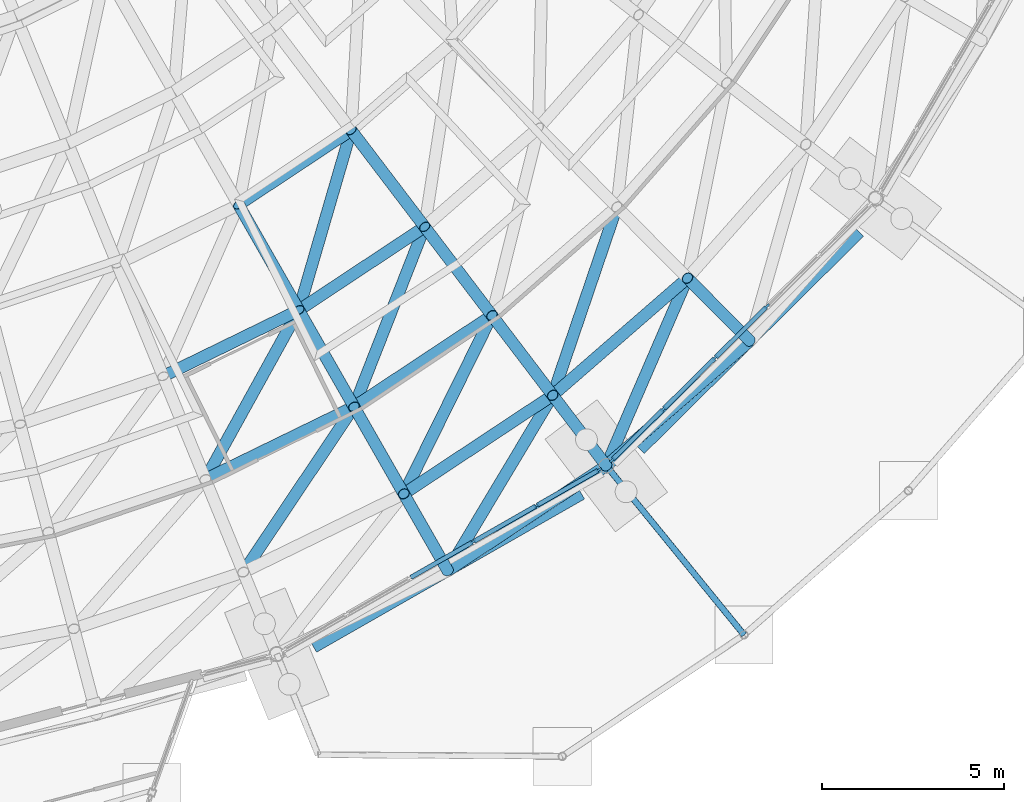
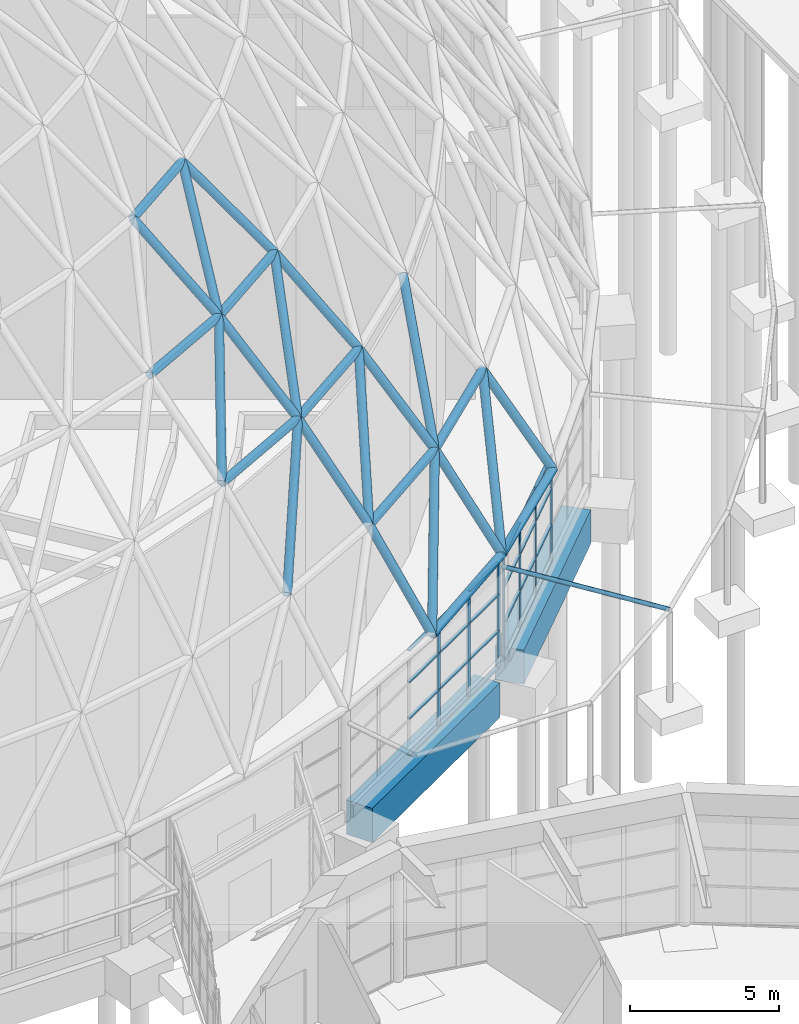
# One storey, part 101 of 226: 58 members, 2 beams, 2 elements without a shape of their own.
"""IFC4 building model written with IfcOpenShell, lengths in metres."""

from ifc_helpers import new_model, si_unit, direction, frame, origin, origin_2d, place, context, subcontext, project, spatial, rectangle, hollow_circle, extrude, material, material_profile, profile_set, type_object, element, aggregate, save


model = new_model("IFC4")

# Units and contexts
model_context = context("Model", 3, precision=1e-05, world=origin(), true_north=direction((0.0, 1.0)))
body_context = subcontext(model_context, "Body", "Model", "MODEL_VIEW")
ifc_project = project(units=[si_unit("LENGTHUNIT", "METRE"), si_unit("AREAUNIT", "SQUARE_METRE"), si_unit("VOLUMEUNIT", "CUBIC_METRE"), si_unit("PLANEANGLEUNIT", "RADIAN"), si_unit("MASSUNIT", "GRAM", prefix="KILO")], contexts=[model_context])

# Site, building, storey
site_placement = place(None, origin())
site = spatial("IfcSite", under=ifc_project, at=site_placement, CompositionType="ELEMENT")
building_placement = place(site_placement, origin())
building = spatial("IfcBuilding", under=site, at=building_placement, Name="Ceibo Conservatory and Research Tower", CompositionType="ELEMENT")
storey_placement = place(building_placement, origin())
storey = spatial("IfcBuildingStorey", under=building, at=storey_placement, Name="L00", CompositionType="ELEMENT", Elevation=0.0)

# Members
ifc_material_1 = material(Name="Steel ASTM A500 Gr C", Category="steel")
ifc_material_profile_1 = material_profile(ifc_material_1, hollow_circle(Radius=0.084228515625, WallThickness=0.007080078125, at=origin_2d()), Name="CHS 168.3x7.11")
ifc_profile_set_1 = profile_set([ifc_material_profile_1], Name="Steel ASTM A500 Gr C")
member_type_1 = type_object("IfcMemberType", Name="CHS 168.3x7.11", PredefinedType="NOTDEFINED", material=ifc_profile_set_1)
member_1_placement = place(storey_placement, frame((180.211669921875, 76.159912109375, 4.0), z_axis=(0.630927805734, -0.774510706466, -0.045423226661), x_axis=(0.775310957196, 0.631579701741, 0.0)))
element("IfcMember", 1, at=member_1_placement, inside=storey, type_object=member_type_1, Name="Brim brace bracket A-BK21", PredefinedType="BRACE", context=body_context, shape_type="SweptSolid", body=[
    extrude(hollow_circle(Radius=0.084228515625, WallThickness=0.007080078125, at=origin_2d()), origin(), (0.0, 0.0, 1.0), 6.009033203125),
])
ifc_material_profile_2 = material_profile(ifc_material_1, hollow_circle(Radius=0.161865234375, WallThickness=0.01025390625, at=origin_2d()), Name="CHS 323.9x10.31")
ifc_profile_set_2 = profile_set([ifc_material_profile_2], Name="Steel ASTM A500 Gr C")
member_type_2 = type_object("IfcMemberType", Name="CHS 323.9x10.31", PredefinedType="NOTDEFINED", material=ifc_profile_set_2)
member_2_placement = place(storey_placement, frame((174.639892578125, 75.385986328125, 8.115966796875), z_axis=(0.833940947759, 0.551853690439, 0.0), x_axis=(-0.551853690439, 0.833940947759, 0.0)))
element("IfcMember", 2, at=member_2_placement, inside=storey, type_object=member_type_2, Name="Gridshell member A-C02-40", PredefinedType="CHORD", context=body_context, shape_type="SweptSolid", body=[
    extrude(hollow_circle(Radius=0.161865234375, WallThickness=0.01025390625, at=origin_2d()), origin(), (0.0, 0.0, 1.0), 4.914306640625),
])
member_3_placement = place(storey_placement, frame((178.738037109375, 78.097900390625, 8.115966796875), z_axis=(0.754629054277, 0.656151652014, 0.0), x_axis=(-0.656151652014, 0.754629054277, 0.0)))
element("IfcMember", 3, at=member_3_placement, inside=storey, type_object=member_type_2, Name="Gridshell member A-C02-41", PredefinedType="CHORD", context=body_context, shape_type="SweptSolid", body=[
    extrude(hollow_circle(Radius=0.161865234375, WallThickness=0.01025390625, at=origin_2d()), origin(), (0.0, 0.0, 1.0), 4.91357421875),
])
member_4_placement = place(storey_placement, frame((169.178955078125, 75.787109375, 11.489013671875), z_axis=(0.898876140445, 0.43820278883, 0.0), x_axis=(-0.43820278883, 0.898876140445, 0.0)))
element("IfcMember", 4, at=member_4_placement, inside=storey, type_object=member_type_2, Name="Gridshell member A-C03-39", PredefinedType="CHORD", context=body_context, shape_type="SweptSolid", body=[
    extrude(hollow_circle(Radius=0.161865234375, WallThickness=0.01025390625, at=origin_2d()), origin(), (0.0, 0.0, 1.0), 4.552490234375),
])
member_5_placement = place(storey_placement, frame((173.27099609375, 77.781982421875, 11.489013671875), z_axis=(0.833836370896, 0.552011690612, 0.0), x_axis=(-0.552011690612, 0.833836370896, 0.0)))
element("IfcMember", 5, at=member_5_placement, inside=storey, type_object=member_type_2, Name="Gridshell member A-C03-40", PredefinedType="CHORD", context=body_context, shape_type="SweptSolid", body=[
    extrude(hollow_circle(Radius=0.161865234375, WallThickness=0.01025390625, at=origin_2d()), origin(), (0.0, 0.0, 1.0), 4.55224609375),
])
member_6_placement = place(storey_placement, frame((168.01904296875, 78.62109375, 14.591064453125), z_axis=(0.898828339994, 0.438300827314, 0.0), x_axis=(-0.438300827314, 0.898828339994, 0.0)))
element("IfcMember", 6, at=member_6_placement, inside=storey, type_object=member_type_2, Name="Gridshell member A-C04-39", PredefinedType="CHORD", context=body_context, shape_type="SweptSolid", body=[
    extrude(hollow_circle(Radius=0.161865234375, WallThickness=0.01025390625, at=origin_2d()), origin(), (0.0, 0.0, 1.0), 4.152099609375),
])
member_7_placement = place(storey_placement, frame((171.7509765625, 80.44091796875, 14.591064453125), z_axis=(0.833908730417, 0.55190237301, 0.0), x_axis=(-0.55190237301, 0.833908730417, 0.0)))
element("IfcMember", 7, at=member_7_placement, inside=storey, type_object=member_type_2, Name="Gridshell member A-C04-40", PredefinedType="CHORD", context=body_context, shape_type="SweptSolid", body=[
    extrude(hollow_circle(Radius=0.161865234375, WallThickness=0.01025390625, at=origin_2d()), origin(), (0.0, 0.0, 1.0), 4.15283203125),
])
ifc_material_profile_3 = material_profile(ifc_material_1, hollow_circle(Radius=0.161865234375, WallThickness=0.01416015625, at=origin_2d()), Name="CHS 323.9x14.27")
ifc_profile_set_3 = profile_set([ifc_material_profile_3], Name="Steel ASTM A500 Gr C")
member_type_3 = type_object("IfcMemberType", Name="CHS 323.9x14.27", PredefinedType="NOTDEFINED", material=ifc_profile_set_3)
member_8_placement = place(storey_placement, frame((175.84912109375, 73.27197265625, 4.5), z_axis=(-0.277368582794, 0.48490501886, 0.829417742735), x_axis=(-0.868027146183, -0.496516740391, 0.0)))
element("IfcMember", 8, at=member_8_placement, inside=storey, type_object=member_type_3, Name="Gridshell member A-M40-01", PredefinedType="RAFTER", context=body_context, shape_type="SweptSolid", body=[
    extrude(hollow_circle(Radius=0.161865234375, WallThickness=0.01416015625, at=origin_2d()), origin(), (0.0, 0.0, 1.0), 4.359619140625),
])
member_9_placement = place(storey_placement, frame((180.2119140625, 76.159912109375, 4.5), z_axis=(-0.338100956033, 0.444566074041, 0.829487039887), x_axis=(-0.795963131494, -0.605345102649, 0.0)))
element("IfcMember", 9, at=member_9_placement, inside=storey, type_object=member_type_3, Name="Gridshell member A-M41-01", PredefinedType="RAFTER", context=body_context, shape_type="SweptSolid", body=[
    extrude(hollow_circle(Radius=0.161865234375, WallThickness=0.01416015625, at=origin_2d()), origin(), (0.0, 0.0, 1.0), 4.359375),
])
member_10_placement = place(storey_placement, frame((184.160888671875, 79.593017578125, 4.5), z_axis=(-0.393356662776, 0.396604767338, 0.829442701079), x_axis=(-0.710008208399, -0.704193399576, 0.0)))
element("IfcMember", 10, at=member_10_placement, inside=storey, type_object=member_type_3, Name="Gridshell member A-M42-01", PredefinedType="RAFTER", context=body_context, shape_type="SweptSolid", body=[
    extrude(hollow_circle(Radius=0.161865234375, WallThickness=0.01416015625, at=origin_2d()), origin(), (0.0, 0.0, 1.0), 4.359619140625),
])
member_11_placement = place(storey_placement, frame((174.639892578125, 75.385986328125, 8.115966796875), z_axis=(-0.314111534403, 0.549793222513, 0.773990540274), x_axis=(-0.868281251326, -0.496072241307, 0.0)))
element("IfcMember", 11, at=member_11_placement, inside=storey, type_object=member_type_3, Name="Gridshell member A-M40-02", PredefinedType="RAFTER", context=body_context, shape_type="SweptSolid", body=[
    extrude(hollow_circle(Radius=0.161865234375, WallThickness=0.01416015625, at=origin_2d()), origin(), (0.0, 0.0, 1.0), 4.35791015625),
])
member_12_placement = place(storey_placement, frame((178.738037109375, 78.097900390625, 8.115966796875), z_axis=(-0.383416004443, 0.504070215337, 0.773889776097), x_axis=(-0.795916707168, -0.605406140745, 0.0)))
element("IfcMember", 12, at=member_12_placement, inside=storey, type_object=member_type_3, Name="Gridshell member A-M41-02", PredefinedType="RAFTER", context=body_context, shape_type="SweptSolid", body=[
    extrude(hollow_circle(Radius=0.161865234375, WallThickness=0.01416015625, at=origin_2d()), origin(), (0.0, 0.0, 1.0), 4.358642578125),
])
member_13_placement = place(storey_placement, frame((173.27099609375, 77.781982421875, 11.489013671875), z_axis=(-0.34868779891, 0.609951625108, 0.711600895109), x_axis=(-0.868154830842, -0.496293451182, 0.0)))
element("IfcMember", 13, at=member_13_placement, inside=storey, type_object=member_type_3, Name="Gridshell member A-M40-03", PredefinedType="RAFTER", context=body_context, shape_type="SweptSolid", body=[
    extrude(hollow_circle(Radius=0.161865234375, WallThickness=0.01416015625, at=origin_2d()), origin(), (0.0, 0.0, 1.0), 4.359375),
])
member_14_placement = place(storey_placement, frame((177.06689453125, 80.294921875, 11.489013671875), z_axis=(-0.425065319755, 0.559323004753, 0.71167215085), x_axis=(-0.796176021194, -0.605065073587, 0.0)))
element("IfcMember", 14, at=member_14_placement, inside=storey, type_object=member_type_3, Name="Gridshell member A-M41-03", PredefinedType="RAFTER", context=body_context, shape_type="SweptSolid", body=[
    extrude(hollow_circle(Radius=0.161865234375, WallThickness=0.01416015625, at=origin_2d()), origin(), (0.0, 0.0, 1.0), 4.35888671875),
])
member_15_placement = place(storey_placement, frame((171.7509765625, 80.44091796875, 14.591064453125), z_axis=(-0.379873372803, 0.66482040521, 0.643202961321), x_axis=(-0.868256644754, -0.496115308008, 0.0)))
element("IfcMember", 15, at=member_15_placement, inside=storey, type_object=member_type_3, Name="Gridshell member A-M40-04", PredefinedType="RAFTER", context=body_context, shape_type="SweptSolid", body=[
    extrude(hollow_circle(Radius=0.161865234375, WallThickness=0.01416015625, at=origin_2d()), origin(), (0.0, 0.0, 1.0), 4.359375),
])
member_16_placement = place(storey_placement, frame((175.214111328125, 82.73291015625, 14.591064453125), z_axis=(-0.463573344816, 0.609455026774, 0.643167415465), x_axis=(-0.795918324463, -0.605404014509, 0.0)))
element("IfcMember", 16, at=member_16_placement, inside=storey, type_object=member_type_3, Name="Gridshell member A-M41-04", PredefinedType="RAFTER", context=body_context, shape_type="SweptSolid", body=[
    extrude(hollow_circle(Radius=0.161865234375, WallThickness=0.01416015625, at=origin_2d()), origin(), (0.0, 0.0, 1.0), 4.359619140625),
])
ifc_material_2 = material(Name="Steel S355J2H", Category="steel")
ifc_material_profile_4 = material_profile(ifc_material_2, hollow_circle(Radius=0.161865234375, WallThickness=0.025390625, at=origin_2d()), Name="CHS 323.9x25.40")
ifc_profile_set_4 = profile_set([ifc_material_profile_4], Name="Steel S355J2H")
member_type_4 = type_object("IfcMemberType", Name="CHS 323.9x25.40", PredefinedType="NOTDEFINED", material=ifc_profile_set_4)
member_17_placement = place(storey_placement, frame((175.84912109375, 73.27197265625, 4.5), z_axis=(0.83386208918, 0.551972840118, 0.0), x_axis=(-0.551972840118, 0.83386208918, 0.0)))
element("IfcMember", 17, at=member_17_placement, inside=storey, type_object=member_type_4, Name="Gridshell member A-C01-40", PredefinedType="CHORD", context=body_context, shape_type="SweptSolid", body=[
    extrude(hollow_circle(Radius=0.161865234375, WallThickness=0.025390625, at=origin_2d()), origin(), (0.0, 0.0, 1.0), 5.23193359375),
])
member_18_placement = place(storey_placement, frame((180.2119140625, 76.159912109375, 4.5), z_axis=(0.754679847379, 0.656093231149, 0.0), x_axis=(-0.656093231149, 0.754679847379, 0.0)))
element("IfcMember", 18, at=member_18_placement, inside=storey, type_object=member_type_4, Name="Gridshell member A-C01-41", PredefinedType="CHORD", context=body_context, shape_type="SweptSolid", body=[
    extrude(hollow_circle(Radius=0.161865234375, WallThickness=0.025390625, at=origin_2d()), origin(), (0.0, 0.0, 1.0), 5.232666015625),
])
ifc_material_profile_5 = material_profile(ifc_material_1, hollow_circle(Radius=0.161865234375, WallThickness=0.00830078125, at=origin_2d()), Name="CHS 323.9x8.38")
ifc_profile_set_5 = profile_set([ifc_material_profile_5], Name="Steel ASTM A500 Gr C")
member_type_5 = type_object("IfcMemberType", Name="CHS 323.9x8.38", PredefinedType="NOTDEFINED", material=ifc_profile_set_5)
member_19_placement = place(storey_placement, frame((170.094970703125, 83.339111328125, 17.39501953125), z_axis=(0.833865491035, 0.551967700922, 0.0), x_axis=(-0.551967700922, 0.833865491035, 0.0)))
element("IfcMember", 19, at=member_19_placement, inside=storey, type_object=member_type_5, Name="Gridshell member A-C05-40", PredefinedType="CHORD", context=body_context, shape_type="SweptSolid", body=[
    extrude(hollow_circle(Radius=0.161865234375, WallThickness=0.00830078125, at=origin_2d()), origin(), (0.0, 0.0, 1.0), 3.71533203125),
])
member_20_placement = place(storey_placement, frame((175.84912109375, 73.27197265625, 4.5), z_axis=(0.432045535026, 0.721731098694, 0.540778029178), x_axis=(-0.858013362491, 0.513627364717, 0.0)))
element("IfcMember", 20, at=member_20_placement, inside=storey, type_object=member_type_5, Name="Gridshell diagonal member A-D01-40", PredefinedType="BRACE", context=body_context, shape_type="SweptSolid", body=[
    extrude(hollow_circle(Radius=0.161865234375, WallThickness=0.00830078125, at=origin_2d()), origin(), (0.0, 0.0, 1.0), 6.6865234375),
])
member_21_placement = place(storey_placement, frame((180.2119140625, 76.159912109375, 4.5), z_axis=(0.334108240434, 0.771979525269, 0.540758075519), x_axis=(-0.917736049525, 0.397190814851, 0.0)))
element("IfcMember", 21, at=member_21_placement, inside=storey, type_object=member_type_5, Name="Gridshell diagonal member A-D01-41", PredefinedType="BRACE", context=body_context, shape_type="SweptSolid", body=[
    extrude(hollow_circle(Radius=0.161865234375, WallThickness=0.00830078125, at=origin_2d()), origin(), (0.0, 0.0, 1.0), 6.686767578125),
])
member_22_placement = place(storey_placement, frame((170.22412109375, 73.23193359375, 8.115966796875), z_axis=(0.473744552646, 0.707466124011, 0.524459514371), x_axis=(-0.83090993754, 0.556406933546, 0.0)))
element("IfcMember", 22, at=member_22_placement, inside=storey, type_object=member_type_5, Name="Gridshell diagonal member A-D02-39", PredefinedType="BRACE", context=body_context, shape_type="SweptSolid", body=[
    extrude(hollow_circle(Radius=0.161865234375, WallThickness=0.00830078125, at=origin_2d()), origin(), (0.0, 0.0, 1.0), 6.431396484375),
])
for number, where, z_axis, x_axis, name in (
    (23, (174.639892578125, 75.385986328125, 8.115966796875), (0.37735607342, 0.763253049819, 0.524449402512), (-0.896424412591, 0.443196652189, 0.0), "Gridshell diagonal member A-D02-40"),
    (24, (178.738037109375, 78.097900390625, 8.115966796875), (0.274404529937, 0.806018230556, 0.524439477883), (-0.946644407824, 0.322279948392, 0.0), "Gridshell diagonal member A-D02-41"),
):
    element("IfcMember", number, at=place(storey_placement, frame(where, z_axis=z_axis, x_axis=x_axis)), inside=storey, type_object=member_type_5, Name=name, PredefinedType="BRACE", context=body_context, shape_type="SweptSolid", body=[
        extrude(hollow_circle(Radius=0.161865234375, WallThickness=0.00830078125, at=origin_2d()), origin(), (0.0, 0.0, 1.0), 6.431640625),
    ])
member_23_placement = place(storey_placement, frame((169.178955078125, 75.787109375, 11.489013671875), z_axis=(0.417809397577, 0.75598317386, 0.503909464226), x_axis=(-0.875227212572, 0.483712028352, 0.0)))
element("IfcMember", 25, at=member_23_placement, inside=storey, type_object=member_type_5, Name="Gridshell diagonal member A-D03-39", PredefinedType="BRACE", context=body_context, shape_type="SweptSolid", body=[
    extrude(hollow_circle(Radius=0.161865234375, WallThickness=0.00830078125, at=origin_2d()), origin(), (0.0, 0.0, 1.0), 6.156005859375),
])
member_24_placement = place(storey_placement, frame((173.27099609375, 77.781982421875, 11.489013671875), z_axis=(0.315588438316, 0.804098246086, 0.503815391034), x_axis=(-0.930872515476, 0.365344166412, 0.0)))
element("IfcMember", 26, at=member_24_placement, inside=storey, type_object=member_type_5, Name="Gridshell diagonal member A-D03-40", PredefinedType="BRACE", context=body_context, shape_type="SweptSolid", body=[
    extrude(hollow_circle(Radius=0.161865234375, WallThickness=0.00830078125, at=origin_2d()), origin(), (0.0, 0.0, 1.0), 6.1572265625),
])
member_25_placement = place(storey_placement, frame((171.7509765625, 80.44091796875, 14.591064453125), z_axis=(0.245760189949, 0.843373084554, 0.477832365256), x_axis=(-0.960068399472, 0.279765380873, 0.0)))
element("IfcMember", 27, at=member_25_placement, inside=storey, type_object=member_type_5, Name="Gridshell diagonal member A-D04-40", PredefinedType="BRACE", context=body_context, shape_type="SweptSolid", body=[
    extrude(hollow_circle(Radius=0.161865234375, WallThickness=0.00830078125, at=origin_2d()), origin(), (0.0, 0.0, 1.0), 5.8681640625),
])

# Curtain wall, members
ifc_material_3 = material(Name="Aluminium and glass", Category="aluminium")
curtain_wall_type = type_object("IfcCurtainWallType", Name="Drum curtain wall", PredefinedType="NOTDEFINED", material=ifc_material_3)
curtain_wall_1_placement = place(storey_placement, origin())
curtain_wall_1 = element("IfcCurtainWall", 28, at=curtain_wall_1_placement, inside=storey, type_object=curtain_wall_type, Name="Drum curtain wall A-CW20", PredefinedType="NOTDEFINED")
ifc_material_4 = material(Name="Aluminium", Category="aluminium")
ifc_material_profile_6 = material_profile(ifc_material_4, rectangle(XDim=0.06005859375, YDim=0.159912109375, at=origin_2d()), Name="AL 60x160")
ifc_profile_set_6 = profile_set([ifc_material_profile_6], Name="Aluminium")
member_type_6 = type_object("IfcMemberType", Name="Drum mullion 60x160", PredefinedType="MULLION", material=ifc_profile_set_6)
member_26_placement = place(storey_placement, frame((176.550048828125, 74.067138671875, 0.0), z_axis=(0.0, 0.0, 1.0), x_axis=(-0.49621649228, 0.868198821002, 0.0)))
member_26 = element("IfcMember", 29, at=member_26_placement, type_object=member_type_6, Name="A-CW20 mullion 4", PredefinedType="MULLION", context=body_context, shape_type="SweptSolid", body=[
    extrude(rectangle(XDim=0.06005859375, YDim=0.159912109375, at=origin_2d()), origin(), (0.0, 0.0, 1.0), 4.338134765625),
])
member_27_placement = place(storey_placement, frame((178.292724609375, 75.063232421875, 0.0), z_axis=(0.0, 0.0, 1.0), x_axis=(-0.49621649228, 0.868198821002, 0.0)))
member_27 = element("IfcMember", 30, at=member_27_placement, type_object=member_type_6, Name="A-CW20 mullion 5", PredefinedType="MULLION", context=body_context, shape_type="SweptSolid", body=[
    extrude(rectangle(XDim=0.06005859375, YDim=0.159912109375, at=origin_2d()), origin(), (0.0, 0.0, 1.0), 4.338134765625),
])
member_28_placement = place(storey_placement, frame((180.00927734375, 76.044189453125, 0.0), z_axis=(0.0, 0.0, 1.0), x_axis=(-0.49621649228, 0.868198821002, 0.0)))
member_28 = element("IfcMember", 31, at=member_28_placement, type_object=member_type_6, Name="A-CW20 mullion 6", PredefinedType="MULLION", context=body_context, shape_type="SweptSolid", body=[
    extrude(rectangle(XDim=0.06005859375, YDim=0.159912109375, at=origin_2d()), origin(), (0.0, 0.0, 1.0), 4.338134765625),
])

curtain_wall_2_placement = place(storey_placement, origin())
curtain_wall_2 = element("IfcCurtainWall", 32, at=curtain_wall_2_placement, inside=storey, type_object=curtain_wall_type, Name="Drum curtain wall A-CW21", PredefinedType="NOTDEFINED")
member_29_placement = place(storey_placement, frame((180.37744140625, 76.323974609375, 0.0), z_axis=(0.0, 0.0, 1.0), x_axis=(-0.704014749779, 0.71018535052, 0.0)))
member_29 = element("IfcMember", 33, at=member_29_placement, type_object=member_type_6, Name="A-CW21 mullion 1", PredefinedType="MULLION", context=body_context, shape_type="SweptSolid", body=[
    extrude(rectangle(XDim=0.06005859375, YDim=0.159912109375, at=origin_2d()), origin(), (0.0, 0.0, 1.0), 4.338134765625),
])
member_30_placement = place(storey_placement, frame((181.781494140625, 77.716064453125, 0.0), z_axis=(0.0, 0.0, 1.0), x_axis=(-0.704014749779, 0.71018535052, 0.0)))
member_30 = element("IfcMember", 34, at=member_30_placement, type_object=member_type_6, Name="A-CW21 mullion 2", PredefinedType="MULLION", context=body_context, shape_type="SweptSolid", body=[
    extrude(rectangle(XDim=0.06005859375, YDim=0.159912109375, at=origin_2d()), origin(), (0.0, 0.0, 1.0), 4.338134765625),
])
member_31_placement = place(storey_placement, frame((183.20703125, 79.129150390625, 0.0), z_axis=(0.0, 0.0, 1.0), x_axis=(-0.704014749779, 0.71018535052, 0.0)))
member_31 = element("IfcMember", 35, at=member_31_placement, type_object=member_type_6, Name="A-CW21 mullion 3", PredefinedType="MULLION", context=body_context, shape_type="SweptSolid", body=[
    extrude(rectangle(XDim=0.06005859375, YDim=0.159912109375, at=origin_2d()), origin(), (0.0, 0.0, 1.0), 4.338134765625),
])
member_32_placement = place(storey_placement, frame((184.63232421875, 80.542236328125, 0.0), z_axis=(0.0, 0.0, 1.0), x_axis=(-0.704014749779, 0.71018535052, 0.0)))
member_32 = element("IfcMember", 36, at=member_32_placement, type_object=member_type_6, Name="A-CW21 mullion 4", PredefinedType="MULLION", context=body_context, shape_type="SweptSolid", body=[
    extrude(rectangle(XDim=0.06005859375, YDim=0.159912109375, at=origin_2d()), origin(), (0.0, 0.0, 1.0), 4.338134765625),
])

# Member
ifc_material_profile_7 = material_profile(ifc_material_4, rectangle(XDim=0.1201171875, YDim=0.06005859375, at=origin_2d()), Name="AL 60x120")
ifc_profile_set_7 = profile_set([ifc_material_profile_7], Name="Aluminium")
member_type_7 = type_object("IfcMemberType", Name="Drum transom 60x120", PredefinedType="USERDEFINED", material=ifc_profile_set_7)
member_33_placement = place(storey_placement, frame((174.83349609375, 73.0859375, 0.030029296875), z_axis=(0.868196847372, 0.496219945401, 0.0), x_axis=(-0.496219945401, 0.868196847372, 0.0)))
member_33 = element("IfcMember", 37, at=member_33_placement, type_object=member_type_7, Name="A-CW20 transom 3.1", ObjectType="TRANSOM", PredefinedType="USERDEFINED", context=body_context, shape_type="SweptSolid", body=[
    extrude(rectangle(XDim=0.1201171875, YDim=0.06005859375, at=origin_2d()), origin(), (0.0, 0.0, 1.0), 1.947265625),
])

member_34_placement = place(storey_placement, frame((174.83349609375, 73.0859375, 1.530029296875), z_axis=(0.868196847372, 0.496219945401, 0.0), x_axis=(-0.496219945401, 0.868196847372, 0.0)))
member_34 = element("IfcMember", 38, at=member_34_placement, type_object=member_type_7, Name="A-CW20 transom 3.2", ObjectType="TRANSOM", PredefinedType="USERDEFINED", context=body_context, shape_type="SweptSolid", body=[
    extrude(rectangle(XDim=0.1201171875, YDim=0.06005859375, at=origin_2d()), origin(), (0.0, 0.0, 1.0), 1.947265625),
])

member_35_placement = place(storey_placement, frame((174.83349609375, 73.0859375, 3.014892578125), z_axis=(0.868196847372, 0.496219945401, 0.0), x_axis=(-0.496219945401, 0.868196847372, 0.0)))
member_35 = element("IfcMember", 39, at=member_35_placement, type_object=member_type_7, Name="A-CW20 transom 3.3", ObjectType="TRANSOM", PredefinedType="USERDEFINED", context=body_context, shape_type="SweptSolid", body=[
    extrude(rectangle(XDim=0.1201171875, YDim=0.06005859375, at=origin_2d()), origin(), (0.0, 0.0, 1.0), 1.947265625),
])

member_36_placement = place(storey_placement, frame((174.83349609375, 73.0859375, 4.30810546875), z_axis=(0.868196847372, 0.496219945401, 0.0), x_axis=(-0.496219945401, 0.868196847372, 0.0)))
member_36 = element("IfcMember", 40, at=member_36_placement, type_object=member_type_7, Name="A-CW20 transom 3.4", ObjectType="TRANSOM", PredefinedType="USERDEFINED", context=body_context, shape_type="SweptSolid", body=[
    extrude(rectangle(XDim=0.1201171875, YDim=0.06005859375, at=origin_2d()), origin(), (0.0, 0.0, 1.0), 1.947265625),
])

member_37_placement = place(storey_placement, frame((176.576171875, 74.08203125, 0.030029296875), z_axis=(0.868165971604, 0.496273962393, 0.0), x_axis=(-0.496273962393, 0.868165971604, 0.0)))
member_37 = element("IfcMember", 41, at=member_37_placement, type_object=member_type_7, Name="A-CW20 transom 4.1", ObjectType="TRANSOM", PredefinedType="USERDEFINED", context=body_context, shape_type="SweptSolid", body=[
    extrude(rectangle(XDim=0.1201171875, YDim=0.06005859375, at=origin_2d()), origin(), (0.0, 0.0, 1.0), 1.947021484375),
])

member_38_placement = place(storey_placement, frame((176.576171875, 74.08203125, 1.530029296875), z_axis=(0.868165971604, 0.496273962393, 0.0), x_axis=(-0.496273962393, 0.868165971604, 0.0)))
member_38 = element("IfcMember", 42, at=member_38_placement, type_object=member_type_7, Name="A-CW20 transom 4.2", ObjectType="TRANSOM", PredefinedType="USERDEFINED", context=body_context, shape_type="SweptSolid", body=[
    extrude(rectangle(XDim=0.1201171875, YDim=0.06005859375, at=origin_2d()), origin(), (0.0, 0.0, 1.0), 1.947021484375),
])

member_39_placement = place(storey_placement, frame((176.576171875, 74.08203125, 3.014892578125), z_axis=(0.868165971604, 0.496273962393, 0.0), x_axis=(-0.496273962393, 0.868165971604, 0.0)))
member_39 = element("IfcMember", 43, at=member_39_placement, type_object=member_type_7, Name="A-CW20 transom 4.3", ObjectType="TRANSOM", PredefinedType="USERDEFINED", context=body_context, shape_type="SweptSolid", body=[
    extrude(rectangle(XDim=0.1201171875, YDim=0.06005859375, at=origin_2d()), origin(), (0.0, 0.0, 1.0), 1.947021484375),
])

member_40_placement = place(storey_placement, frame((176.576171875, 74.08203125, 4.30810546875), z_axis=(0.868165971604, 0.496273962393, 0.0), x_axis=(-0.496273962393, 0.868165971604, 0.0)))
member_40 = element("IfcMember", 44, at=member_40_placement, type_object=member_type_7, Name="A-CW20 transom 4.4", ObjectType="TRANSOM", PredefinedType="USERDEFINED", context=body_context, shape_type="SweptSolid", body=[
    extrude(rectangle(XDim=0.1201171875, YDim=0.06005859375, at=origin_2d()), origin(), (0.0, 0.0, 1.0), 1.947021484375),
])

member_41_placement = place(storey_placement, frame((178.31884765625, 75.077880859375, 0.030029296875), z_axis=(0.868156921675, 0.496289793717, 0.0), x_axis=(-0.496289793717, 0.868156921675, 0.0)))
member_41 = element("IfcMember", 45, at=member_41_placement, type_object=member_type_7, Name="A-CW20 transom 5.1", ObjectType="TRANSOM", PredefinedType="USERDEFINED", context=body_context, shape_type="SweptSolid", body=[
    extrude(rectangle(XDim=0.1201171875, YDim=0.06005859375, at=origin_2d()), origin(), (0.0, 0.0, 1.0), 1.9169921875),
])

member_42_placement = place(storey_placement, frame((178.31884765625, 75.077880859375, 1.530029296875), z_axis=(0.868156921675, 0.496289793717, 0.0), x_axis=(-0.496289793717, 0.868156921675, 0.0)))
member_42 = element("IfcMember", 46, at=member_42_placement, type_object=member_type_7, Name="A-CW20 transom 5.2", ObjectType="TRANSOM", PredefinedType="USERDEFINED", context=body_context, shape_type="SweptSolid", body=[
    extrude(rectangle(XDim=0.1201171875, YDim=0.06005859375, at=origin_2d()), origin(), (0.0, 0.0, 1.0), 1.9169921875),
])

member_43_placement = place(storey_placement, frame((178.31884765625, 75.077880859375, 3.014892578125), z_axis=(0.868156921675, 0.496289793717, 0.0), x_axis=(-0.496289793717, 0.868156921675, 0.0)))
member_43 = element("IfcMember", 47, at=member_43_placement, type_object=member_type_7, Name="A-CW20 transom 5.3", ObjectType="TRANSOM", PredefinedType="USERDEFINED", context=body_context, shape_type="SweptSolid", body=[
    extrude(rectangle(XDim=0.1201171875, YDim=0.06005859375, at=origin_2d()), origin(), (0.0, 0.0, 1.0), 1.9169921875),
])

member_44_placement = place(storey_placement, frame((178.31884765625, 75.077880859375, 4.30810546875), z_axis=(0.868156921675, 0.496289793717, 0.0), x_axis=(-0.496289793717, 0.868156921675, 0.0)))
member_44 = element("IfcMember", 48, at=member_44_placement, type_object=member_type_7, Name="A-CW20 transom 5.4", ObjectType="TRANSOM", PredefinedType="USERDEFINED", context=body_context, shape_type="SweptSolid", body=[
    extrude(rectangle(XDim=0.1201171875, YDim=0.06005859375, at=origin_2d()), origin(), (0.0, 0.0, 1.0), 1.9169921875),
])

aggregate(curtain_wall_1, [member_26, member_27, member_28, member_33, member_34, member_35, member_36, member_37, member_38, member_39, member_40, member_41, member_42, member_43, member_44])

member_45_placement = place(storey_placement, frame((180.398681640625, 76.34521484375, 0.030029296875), z_axis=(0.710219924339, 0.703979871212, 0.0), x_axis=(-0.703979871212, 0.710219924339, 0.0)))
member_45 = element("IfcMember", 49, at=member_45_placement, type_object=member_type_7, Name="A-CW21 transom 1.1", ObjectType="TRANSOM", PredefinedType="USERDEFINED", context=body_context, shape_type="SweptSolid", body=[
    extrude(rectangle(XDim=0.1201171875, YDim=0.06005859375, at=origin_2d()), origin(), (0.0, 0.0, 1.0), 1.9169921875),
])

member_46_placement = place(storey_placement, frame((180.398681640625, 76.34521484375, 1.530029296875), z_axis=(0.710219924339, 0.703979871212, 0.0), x_axis=(-0.703979871212, 0.710219924339, 0.0)))
member_46 = element("IfcMember", 50, at=member_46_placement, type_object=member_type_7, Name="A-CW21 transom 1.2", ObjectType="TRANSOM", PredefinedType="USERDEFINED", context=body_context, shape_type="SweptSolid", body=[
    extrude(rectangle(XDim=0.1201171875, YDim=0.06005859375, at=origin_2d()), origin(), (0.0, 0.0, 1.0), 1.9169921875),
])

member_47_placement = place(storey_placement, frame((180.398681640625, 76.34521484375, 3.014892578125), z_axis=(0.710219924339, 0.703979871212, 0.0), x_axis=(-0.703979871212, 0.710219924339, 0.0)))
member_47 = element("IfcMember", 51, at=member_47_placement, type_object=member_type_7, Name="A-CW21 transom 1.3", ObjectType="TRANSOM", PredefinedType="USERDEFINED", context=body_context, shape_type="SweptSolid", body=[
    extrude(rectangle(XDim=0.1201171875, YDim=0.06005859375, at=origin_2d()), origin(), (0.0, 0.0, 1.0), 1.9169921875),
])

member_48_placement = place(storey_placement, frame((180.398681640625, 76.34521484375, 4.30810546875), z_axis=(0.710219924339, 0.703979871212, 0.0), x_axis=(-0.703979871212, 0.710219924339, 0.0)))
member_48 = element("IfcMember", 52, at=member_48_placement, type_object=member_type_7, Name="A-CW21 transom 1.4", ObjectType="TRANSOM", PredefinedType="USERDEFINED", context=body_context, shape_type="SweptSolid", body=[
    extrude(rectangle(XDim=0.1201171875, YDim=0.06005859375, at=origin_2d()), origin(), (0.0, 0.0, 1.0), 1.9169921875),
])

member_49_placement = place(storey_placement, frame((181.802734375, 77.737060546875, 0.030029296875), z_axis=(0.710172003657, 0.704028213371, 0.0), x_axis=(-0.704028213371, 0.710172003657, 0.0)))
member_49 = element("IfcMember", 53, at=member_49_placement, type_object=member_type_7, Name="A-CW21 transom 2.1", ObjectType="TRANSOM", PredefinedType="USERDEFINED", context=body_context, shape_type="SweptSolid", body=[
    extrude(rectangle(XDim=0.1201171875, YDim=0.06005859375, at=origin_2d()), origin(), (0.0, 0.0, 1.0), 1.947265625),
])

member_50_placement = place(storey_placement, frame((181.802734375, 77.737060546875, 1.530029296875), z_axis=(0.710172003657, 0.704028213371, 0.0), x_axis=(-0.704028213371, 0.710172003657, 0.0)))
member_50 = element("IfcMember", 54, at=member_50_placement, type_object=member_type_7, Name="A-CW21 transom 2.2", ObjectType="TRANSOM", PredefinedType="USERDEFINED", context=body_context, shape_type="SweptSolid", body=[
    extrude(rectangle(XDim=0.1201171875, YDim=0.06005859375, at=origin_2d()), origin(), (0.0, 0.0, 1.0), 1.947265625),
])

member_51_placement = place(storey_placement, frame((181.802734375, 77.737060546875, 3.014892578125), z_axis=(0.710172003657, 0.704028213371, 0.0), x_axis=(-0.704028213371, 0.710172003657, 0.0)))
member_51 = element("IfcMember", 55, at=member_51_placement, type_object=member_type_7, Name="A-CW21 transom 2.3", ObjectType="TRANSOM", PredefinedType="USERDEFINED", context=body_context, shape_type="SweptSolid", body=[
    extrude(rectangle(XDim=0.1201171875, YDim=0.06005859375, at=origin_2d()), origin(), (0.0, 0.0, 1.0), 1.947265625),
])

member_52_placement = place(storey_placement, frame((181.802734375, 77.737060546875, 4.30810546875), z_axis=(0.710172003657, 0.704028213371, 0.0), x_axis=(-0.704028213371, 0.710172003657, 0.0)))
member_52 = element("IfcMember", 56, at=member_52_placement, type_object=member_type_7, Name="A-CW21 transom 2.4", ObjectType="TRANSOM", PredefinedType="USERDEFINED", context=body_context, shape_type="SweptSolid", body=[
    extrude(rectangle(XDim=0.1201171875, YDim=0.06005859375, at=origin_2d()), origin(), (0.0, 0.0, 1.0), 1.947265625),
])

member_53_placement = place(storey_placement, frame((183.228271484375, 79.150146484375, 0.030029296875), z_axis=(0.710172003657, 0.704028213371, 0.0), x_axis=(-0.704028213371, 0.710172003657, 0.0)))
member_53 = element("IfcMember", 57, at=member_53_placement, type_object=member_type_7, Name="A-CW21 transom 3.1", ObjectType="TRANSOM", PredefinedType="USERDEFINED", context=body_context, shape_type="SweptSolid", body=[
    extrude(rectangle(XDim=0.1201171875, YDim=0.06005859375, at=origin_2d()), origin(), (0.0, 0.0, 1.0), 1.947265625),
])

member_54_placement = place(storey_placement, frame((183.228271484375, 79.150146484375, 1.530029296875), z_axis=(0.710172003657, 0.704028213371, 0.0), x_axis=(-0.704028213371, 0.710172003657, 0.0)))
member_54 = element("IfcMember", 58, at=member_54_placement, type_object=member_type_7, Name="A-CW21 transom 3.2", ObjectType="TRANSOM", PredefinedType="USERDEFINED", context=body_context, shape_type="SweptSolid", body=[
    extrude(rectangle(XDim=0.1201171875, YDim=0.06005859375, at=origin_2d()), origin(), (0.0, 0.0, 1.0), 1.947265625),
])

member_55_placement = place(storey_placement, frame((183.228271484375, 79.150146484375, 3.014892578125), z_axis=(0.710172003657, 0.704028213371, 0.0), x_axis=(-0.704028213371, 0.710172003657, 0.0)))
member_55 = element("IfcMember", 59, at=member_55_placement, type_object=member_type_7, Name="A-CW21 transom 3.3", ObjectType="TRANSOM", PredefinedType="USERDEFINED", context=body_context, shape_type="SweptSolid", body=[
    extrude(rectangle(XDim=0.1201171875, YDim=0.06005859375, at=origin_2d()), origin(), (0.0, 0.0, 1.0), 1.947265625),
])

member_56_placement = place(storey_placement, frame((183.228271484375, 79.150146484375, 4.30810546875), z_axis=(0.710172003657, 0.704028213371, 0.0), x_axis=(-0.704028213371, 0.710172003657, 0.0)))
member_56 = element("IfcMember", 60, at=member_56_placement, type_object=member_type_7, Name="A-CW21 transom 3.4", ObjectType="TRANSOM", PredefinedType="USERDEFINED", context=body_context, shape_type="SweptSolid", body=[
    extrude(rectangle(XDim=0.1201171875, YDim=0.06005859375, at=origin_2d()), origin(), (0.0, 0.0, 1.0), 1.947265625),
])

aggregate(curtain_wall_2, [member_29, member_30, member_31, member_32, member_45, member_46, member_47, member_48, member_49, member_50, member_51, member_52, member_53, member_54, member_55, member_56])

# Beams
ifc_material_5 = material(Name="Concrete C35/45", Category="concrete")
ifc_material_profile_8 = material_profile(ifc_material_5, rectangle(XDim=1.0, YDim=1.39990234375, at=origin_2d()), Name="RC 1000x1400")
ifc_profile_set_8 = profile_set([ifc_material_profile_8], Name="Concrete C35/45")
beam_type = type_object("IfcBeamType", Name="RC ring beam 1000x1400", PredefinedType="BEAM", material=ifc_profile_set_8)
beam_1_placement = place(storey_placement, frame((171.9921875, 71.4619140625, -0.699951171875), z_axis=(0.86819714424, 0.496219425994, 0.0), x_axis=(-0.496219425994, 0.86819714424, 0.0)))
element("IfcBeam", 61, at=beam_1_placement, inside=storey, type_object=beam_type, Name="Drum ring beam A-RB20", PredefinedType="BEAM", context=body_context, shape_type="SweptSolid", body=[
    extrude(rectangle(XDim=1.0, YDim=1.39990234375, at=origin_2d()), origin(), (0.0, 0.0, 1.0), 8.492919921875),
])
beam_2_placement = place(storey_placement, frame((180.90380859375, 76.845947265625, -0.699951171875), z_axis=(0.710190187, 0.704009870874, 0.0), x_axis=(-0.704009870874, 0.710190187, 0.0)))
element("IfcBeam", 62, at=beam_2_placement, inside=storey, type_object=beam_type, Name="Drum ring beam A-RB21", PredefinedType="BEAM", context=body_context, shape_type="SweptSolid", body=[
    extrude(rectangle(XDim=1.0, YDim=1.39990234375, at=origin_2d()), origin(), (0.0, 0.0, 1.0), 8.4931640625),
])

save(model, "model.ifc")
